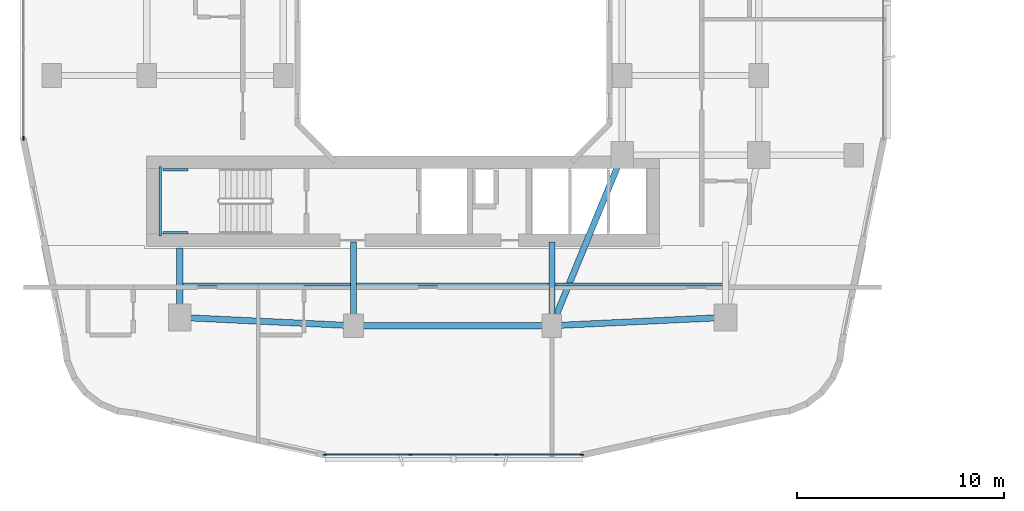
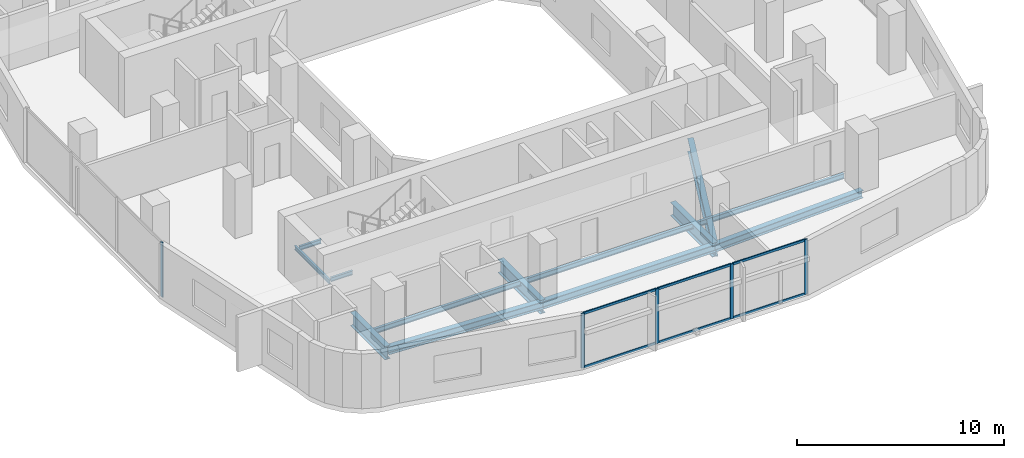
# One storey, part 2 of 26: 13 beams, 11 members, 2 elements without a shape of their own.
"""IFC4 building model written with IfcOpenShell, lengths in metres."""

import ifcopenshell
import ifcopenshell.guid

model = None  # the IFC model being written
_history = None  # IfcOwnerHistory: only IFC2X3 demands one
_inside = {}  # id of a spatial element -> (the spatial element, [elements in it])
_under = {}  # id of a project, library or spatial element -> (it, [spatial elements below it])
_declared = {}  # id of a project -> (the project, [libraries it declares])
_typed = {}  # id of a type object -> (the type object, [elements of that type])
_made_of = {}  # id of a material, layer set ... -> (it, [elements and type objects made of it])


def new_model(schema):
    """Start an empty IFC model of exactly this schema.

    Asked for "IFC4X3", IfcOpenShell would pick the latest addendum, in which some entities
    have other attributes; the version numbers below select the first issue.
    IFC2X3 requires an IfcOwnerHistory on every rooted entity: one is made here for all.
    """
    global model, _history
    if schema == "IFC4X3":
        model = ifcopenshell.file(schema_version=(4, 3, 0, 0))
    else:
        model = ifcopenshell.file(schema=schema)
    _inside.clear()
    _under.clear()
    _declared.clear()
    _typed.clear()
    _made_of.clear()
    _history = None
    if model.schema == "IFC2X3":
        org = make("IfcOrganization", Name="unknown")
        user = make(
            "IfcPersonAndOrganization",
            ThePerson=make("IfcPerson", FamilyName="unknown"),
            TheOrganization=org,
        )
        app = make(
            "IfcApplication",
            ApplicationDeveloper=org,
            Version="unknown",
            ApplicationFullName="unknown",
            ApplicationIdentifier="unknown",
        )
        _history = make(
            "IfcOwnerHistory",
            OwningUser=user,
            OwningApplication=app,
            ChangeAction="ADDED",
            CreationDate=0,
        )
    return model


def make(cls, **values):
    """One entity of the class cls with the attributes given. An attribute that is None is left unset."""
    return model.create_entity(
        cls, **{name: value for name, value in values.items() if value is not None}
    )


def rooted(cls, **values):
    """An entity with a GlobalId (a new one), such as an element, a storey or a relation."""
    return make(cls, GlobalId=ifcopenshell.guid.new(), OwnerHistory=_history, **values)


def si_unit(unit_type, name, prefix=None):
    """IfcSIUnit, for example si_unit("LENGTHUNIT", "METRE", prefix="MILLI")."""
    return make("IfcSIUnit", UnitType=unit_type, Prefix=prefix, Name=name)


def derived_unit(unit_type, elements):
    """IfcDerivedUnit: a product of units, each with its exponent."""
    return make(
        "IfcDerivedUnit",
        Elements=[
            make("IfcDerivedUnitElement", Unit=unit, Exponent=power)
            for unit, power in elements
        ],
        UnitType=unit_type,
    )


def assignment(units):
    """IfcUnitAssignment: the units of a project."""
    return None if units is None else make("IfcUnitAssignment", Units=units)


def point(xyz):
    """IfcCartesianPoint."""
    return None if xyz is None else make("IfcCartesianPoint", Coordinates=xyz)


def direction(xyz):
    """IfcDirection."""
    return None if xyz is None else make("IfcDirection", DirectionRatios=xyz)


def frame(location, z_axis=None, x_axis=None):
    """IfcAxis2Placement3D, a coordinate frame: its origin and axes. An axis left out is left unset."""
    return make(
        "IfcAxis2Placement3D",
        Location=point(location),
        Axis=direction(z_axis),
        RefDirection=direction(x_axis),
    )


def frame_2d(location, x_axis=None):
    """IfcAxis2Placement2D, a coordinate frame in the plane: its origin and x axis."""
    return make(
        "IfcAxis2Placement2D", Location=point(location), RefDirection=direction(x_axis)
    )


def origin():
    """The frame at (0, 0, 0) with its axes left unset."""
    return frame((0.0, 0.0, 0.0))


def origin_2d():
    """The frame at (0, 0) in the plane with its x axis left unset."""
    return frame_2d((0.0, 0.0))


def place(relative_to, where):
    """IfcLocalPlacement: puts the frame where relative to a parent placement (None: the world)."""
    return make(
        "IfcLocalPlacement", PlacementRelTo=relative_to, RelativePlacement=where
    )


def context(
    kind, dimensions, precision=None, world=None, true_north=None, identifier=None
):
    """IfcGeometricRepresentationContext, for example the 3D "Model" context."""
    return make(
        "IfcGeometricRepresentationContext",
        ContextIdentifier=identifier,
        ContextType=kind,
        CoordinateSpaceDimension=dimensions,
        Precision=precision,
        WorldCoordinateSystem=world,
        TrueNorth=true_north,
    )


def subcontext(parent, identifier, kind, view, scale=None):
    """IfcGeometricRepresentationSubContext, for example "Body" below "Model"."""
    return make(
        "IfcGeometricRepresentationSubContext",
        ContextIdentifier=identifier,
        ContextType=kind,
        ParentContext=parent,
        TargetScale=scale,
        TargetView=view,
    )


def project(units=None, contexts=None):
    """IfcProject with its units and contexts."""
    return rooted(
        "IfcProject",
        Name="project",
        RepresentationContexts=contexts,
        UnitsInContext=assignment(units),
    )


def spatial(cls, under=None, at=None, **own):
    """A site, building, storey or space (cls), placed at a placement, below another one or the project."""
    s = rooted(cls, ObjectPlacement=at, **own)
    if under is not None:
        _under.setdefault(under.id(), (under, []))[1].append(s)
    return s


def profile(cls, at=None, kind="AREA", **sizes):
    """A parametric profile (cls). Its sizes go by their IFC names, for example OverallWidth=200.0."""
    return make(cls, ProfileType=kind, Position=at, **sizes)


def rectangle(**sizes):
    """IfcRectangleProfileDef."""
    return profile("IfcRectangleProfileDef", **sizes)


def i_section(**sizes):
    """IfcIShapeProfileDef."""
    return profile("IfcIShapeProfileDef", **sizes)


def extrude(swept, where, along, depth):
    """IfcExtrudedAreaSolid: the profile swept, set in the frame where, extruded along a direction by depth."""
    return make(
        "IfcExtrudedAreaSolid",
        SweptArea=swept,
        Position=where,
        ExtrudedDirection=direction(along),
        Depth=depth,
    )


def shape(context_of_items, identifier, shape_type, items):
    """IfcShapeRepresentation: the items that make up one representation, for example the "Body"."""
    return make(
        "IfcShapeRepresentation",
        ContextOfItems=context_of_items,
        RepresentationIdentifier=identifier,
        RepresentationType=shape_type,
        Items=items,
    )


def material(Name=None, Category=None):
    """IfcMaterial."""
    return make("IfcMaterial", Name=Name, Category=Category)


def layer(
    of_material, thickness, ventilated=None, Name=None, Category=None, Priority=None
):
    """IfcMaterialLayer: one layer of a wall or slab, of a material (None: an air gap)."""
    return make(
        "IfcMaterialLayer",
        Material=of_material,
        LayerThickness=thickness,
        IsVentilated=ventilated,
        Name=Name,
        Category=Category,
        Priority=Priority,
    )


def layer_set(layers, Name=None):
    """IfcMaterialLayerSet."""
    return make("IfcMaterialLayerSet", MaterialLayers=layers, LayerSetName=Name)


def material_profile(
    of_material, cross_section, Name=None, Category=None, Priority=None
):
    """IfcMaterialProfile: a cross section and its material."""
    return make(
        "IfcMaterialProfile",
        Name=Name,
        Material=of_material,
        Profile=cross_section,
        Priority=Priority,
        Category=Category,
    )


def profile_set(profiles, Name=None, composite=None):
    """IfcMaterialProfileSet."""
    return make(
        "IfcMaterialProfileSet",
        Name=Name,
        MaterialProfiles=profiles,
        CompositeProfile=composite,
    )


def made_of(thing, what):
    """Note that an element or type object is made of a material, layer set ...; save() writes the relation."""
    if what is not None:
        _made_of.setdefault(what.id(), (what, []))[1].append(thing)
    return thing


def type_object(cls, material=None, **own):
    """A type object (cls), such as IfcWallType, which elements share."""
    return made_of(rooted(cls, **own), material)


def element(
    cls,
    number,
    at=None,
    inside=None,
    cuts=None,
    type_object=None,
    material=None,
    context=None,
    identifier="Body",
    shape_type=None,
    held_by="IfcProductDefinitionShape",
    body=None,
    shapes=None,
    **own,
):
    """One element of the class cls, such as IfcWall. Its Tag is "e" and its number.

    at: its placement. inside: the storey or other place that contains it. cuts: it is an
    opening in that element (IfcRelVoidsElement). A single representation is given by context,
    identifier, shape_type and body (its items); several are given by shapes. held_by: the class
    of the entity that holds the representations. save() writes the other relations.
    """
    e = rooted(cls, Tag="e%d" % number, ObjectPlacement=at, **own)
    if body is not None:
        shapes = [shape(context, identifier, shape_type, body)]
    if shapes is not None:
        e.Representation = make(held_by, Representations=shapes)
    if inside is not None:
        _inside.setdefault(inside.id(), (inside, []))[1].append(e)
    if cuts is not None:
        rooted(
            "IfcRelVoidsElement", RelatingBuildingElement=cuts, RelatedOpeningElement=e
        )
    if type_object is not None:
        _typed.setdefault(type_object.id(), (type_object, []))[1].append(e)
    return made_of(e, material)


def aggregate(whole, parts):
    """IfcRelAggregates: a whole, such as a stair, and the parts it consists of."""
    return rooted("IfcRelAggregates", RelatingObject=whole, RelatedObjects=parts)


def save(model, path):
    """Write the relations noted so far, then the file.

    IfcRelAggregates (storeys below a building ...), IfcRelContainedInSpatialStructure (elements
    in a storey), IfcRelDefinesByType, IfcRelAssociatesMaterial and IfcRelDeclares: one each for
    every whole, place, type object, material and project.
    """
    for whole, parts in _under.values():
        aggregate(whole, parts)
    for where, things in _inside.values():
        rooted(
            "IfcRelContainedInSpatialStructure",
            RelatedElements=things,
            RelatingStructure=where,
        )
    for kind, things in _typed.values():
        rooted("IfcRelDefinesByType", RelatedObjects=things, RelatingType=kind)
    for what, things in _made_of.values():
        rooted("IfcRelAssociatesMaterial", RelatedObjects=things, RelatingMaterial=what)
    for by, libraries in _declared.values():
        rooted("IfcRelDeclares", RelatingContext=by, RelatedDefinitions=libraries)
    model.write(path)


model = new_model("IFC4")

# Units and contexts
model_context = context("Model", 3, precision=1e-05, world=origin(), true_north=direction((0.0, 1.0)))
body_context = subcontext(model_context, "Body", "Model", "MODEL_VIEW")
ifc_project = project(units=[si_unit("LENGTHUNIT", "METRE"), si_unit("AREAUNIT", "SQUARE_METRE"), si_unit("VOLUMEUNIT", "CUBIC_METRE"), si_unit("PLANEANGLEUNIT", "RADIAN"), si_unit("MASSUNIT", "GRAM", prefix="KILO"), derived_unit("THERMALTRANSMITTANCEUNIT", [(si_unit("POWERUNIT", "WATT"), 1), (si_unit("LENGTHUNIT", "METRE"), -2), (si_unit("THERMODYNAMICTEMPERATUREUNIT", "KELVIN"), -1)])], contexts=[model_context])

# Site, building, storey
site_placement = place(None, origin())
site = spatial("IfcSite", under=ifc_project, at=site_placement, CompositionType="ELEMENT")
building_placement = place(site_placement, origin())
building = spatial("IfcBuilding", under=site, at=building_placement, Name="Kivonza Crest Hotel", CompositionType="ELEMENT")
storey_placement = place(building_placement, frame((0.0, 0.0, 45.0)))
storey = spatial("IfcBuildingStorey", under=building, at=storey_placement, Name="L11", CompositionType="ELEMENT", Elevation=45.0)

# Beams
ifc_material_1 = material(Name="Steel S355", Category="steel")
ifc_material_profile_1 = material_profile(ifc_material_1, i_section(OverallWidth=0.300048828125, OverallDepth=0.449951171875, WebThickness=0.013916015625, FlangeThickness=0.02587890625, FilletRadius=0.027099609375, at=origin_2d()), Name="HEB 450")
ifc_profile_set_1 = profile_set([ifc_material_profile_1], Name="Steel S355")
beam_type_1 = type_object("IfcBeamType", Name="BM-HEB450", PredefinedType="SPANDREL", material=ifc_profile_set_1)
beam_1_placement = place(storey_placement, frame((16.199951171875, 9.39990234375, -0.5048828125), z_axis=(1.0, 0.0, 0.0), x_axis=(0.0, 1.0, 0.0)))
element("IfcBeam", 1, at=beam_1_placement, inside=storey, type_object=beam_type_1, Name="Tower T1 L11 perimeter spandrel S1-S2", PredefinedType="SPANDREL", context=body_context, shape_type="SweptSolid", body=[
    extrude(i_section(OverallWidth=0.300048828125, OverallDepth=0.449951171875, WebThickness=0.013916015625, FlangeThickness=0.02587890625, FilletRadius=0.027099609375, at=origin_2d()), origin(), (0.0, 0.0, 1.0), 9.60009765625),
])
for number, where, z_axis, x_axis, name in (
    (2, (25.800048828125, 9.39990234375, -0.5048828125), (0.998867283688, 0.047583080799, 0.0), (-0.047583080799, 0.998867283688, 0.0), "Tower T1 L11 perimeter spandrel S2-SE"),
    (3, (7.800048828125, 9.800048828125, -0.5048828125), (0.998867283688, -0.047583080799, 0.0), (0.047583080799, 0.998867283688, 0.0), "Tower T1 L11 perimeter spandrel SW-S1"),
):
    element("IfcBeam", number, at=place(storey_placement, frame(where, z_axis=z_axis, x_axis=x_axis)), inside=storey, type_object=beam_type_1, Name=name, PredefinedType="SPANDREL", context=body_context, shape_type="SweptSolid", body=[
        extrude(i_section(OverallWidth=0.300048828125, OverallDepth=0.449951171875, WebThickness=0.013916015625, FlangeThickness=0.02587890625, FilletRadius=0.027099609375, at=origin_2d()), origin(), (0.0, 0.0, 1.0), 8.409423828125),
    ])
ifc_material_profile_2 = material_profile(ifc_material_1, i_section(OverallWidth=0.300048828125, OverallDepth=0.800048828125, WebThickness=0.017578125, FlangeThickness=0.032958984375, FilletRadius=0.030029296875, at=origin_2d()), Name="HEB 800")
ifc_profile_set_2 = profile_set([ifc_material_profile_2], Name="Steel S355")
beam_type_2 = type_object("IfcBeamType", Name="BM-HEB800", PredefinedType="BEAM", material=ifc_profile_set_2)
beam_2_placement = place(storey_placement, frame((25.800048828125, 9.39990234375, -0.679931640625), z_axis=(0.381022260404, 0.924565864109, 0.0), x_axis=(-0.924565864109, 0.381022260404, 0.0)))
element("IfcBeam", 4, at=beam_2_placement, inside=storey, type_object=beam_type_2, Name="Tower T1 L11 primary girder S1-TSE", PredefinedType="BEAM", context=body_context, shape_type="SweptSolid", body=[
    extrude(i_section(OverallWidth=0.300048828125, OverallDepth=0.800048828125, WebThickness=0.017578125, FlangeThickness=0.032958984375, FilletRadius=0.030029296875, at=origin_2d()), origin(), (0.0, 0.0, 1.0), 8.923095703125),
])
beam_3_placement = place(storey_placement, frame((7.800048828125, 9.800048828125, -0.679931640625), z_axis=(0.0, 1.0, 0.0), x_axis=(-1.0, 0.0, 0.0)))
element("IfcBeam", 5, at=beam_3_placement, inside=storey, type_object=beam_type_2, Name="Tower T1 L11 radial core girder RSW", PredefinedType="BEAM", context=body_context, shape_type="SweptSolid", body=[
    extrude(i_section(OverallWidth=0.300048828125, OverallDepth=0.800048828125, WebThickness=0.017578125, FlangeThickness=0.032958984375, FilletRadius=0.030029296875, at=origin_2d()), origin(), (0.0, 0.0, 1.0), 3.349853515625),
])
for number, where, z_axis, x_axis, name in (
    (6, (16.199951171875, 9.39990234375, -0.679931640625), (0.0, 1.0, 0.0), (-1.0, 0.0, 0.0), "Tower T1 L11 radial core girder RS1"),
    (7, (25.800048828125, 9.39990234375, -0.679931640625), (0.0, 1.0, 0.0), (-1.0, 0.0, 0.0), "Tower T1 L11 radial core girder RS2"),
):
    element("IfcBeam", number, at=place(storey_placement, frame(where, z_axis=z_axis, x_axis=x_axis)), inside=storey, type_object=beam_type_2, Name=name, PredefinedType="BEAM", context=body_context, shape_type="SweptSolid", body=[
        extrude(i_section(OverallWidth=0.300048828125, OverallDepth=0.800048828125, WebThickness=0.017578125, FlangeThickness=0.032958984375, FilletRadius=0.030029296875, at=origin_2d()), origin(), (0.0, 0.0, 1.0), 4.050048828125),
    ])
ifc_material_profile_3 = material_profile(ifc_material_1, i_section(OverallWidth=0.14990234375, OverallDepth=0.300048828125, WebThickness=0.007080078125, FlangeThickness=0.0107421875, FilletRadius=0.014892578125, at=origin_2d()), Name="IPE 300")
ifc_profile_set_3 = profile_set([ifc_material_profile_3], Name="Steel S355")
beam_type_3 = type_object("IfcBeamType", Name="BM-IPE300", PredefinedType="JOIST", material=ifc_profile_set_3)
beam_4_placement = place(storey_placement, frame((7.8798828125, 11.39990234375, -0.429931640625), z_axis=(1.0, 0.0, 0.0), x_axis=(0.0, 1.0, 0.0)))
element("IfcBeam", 8, at=beam_4_placement, inside=storey, type_object=beam_type_3, Name="Tower T1 L11 South-West floor joist", PredefinedType="JOIST", context=body_context, shape_type="SweptSolid", body=[
    extrude(i_section(OverallWidth=0.14990234375, OverallDepth=0.300048828125, WebThickness=0.007080078125, FlangeThickness=0.0107421875, FilletRadius=0.014892578125, at=origin_2d()), origin(), (0.0, 0.0, 1.0), 8.240234375),
])
beam_5_placement = place(storey_placement, frame((16.280029296875, 11.39990234375, -0.429931640625), z_axis=(1.0, 0.0, 0.0), x_axis=(0.0, 1.0, 0.0)))
element("IfcBeam", 9, at=beam_5_placement, inside=storey, type_object=beam_type_3, Name="Tower T1 L11 South-Mid floor joist", PredefinedType="JOIST", context=body_context, shape_type="SweptSolid", body=[
    extrude(i_section(OverallWidth=0.14990234375, OverallDepth=0.300048828125, WebThickness=0.007080078125, FlangeThickness=0.0107421875, FilletRadius=0.014892578125, at=origin_2d()), origin(), (0.0, 0.0, 1.0), 9.43994140625),
])
beam_6_placement = place(storey_placement, frame((25.8798828125, 11.39990234375, -0.429931640625), z_axis=(1.0, 0.0, 0.0), x_axis=(0.0, 1.0, 0.0)))
element("IfcBeam", 10, at=beam_6_placement, inside=storey, type_object=beam_type_3, Name="Tower T1 L11 South-East floor joist", PredefinedType="JOIST", context=body_context, shape_type="SweptSolid", body=[
    extrude(i_section(OverallWidth=0.14990234375, OverallDepth=0.300048828125, WebThickness=0.007080078125, FlangeThickness=0.0107421875, FilletRadius=0.014892578125, at=origin_2d()), origin(), (0.0, 0.0, 1.0), 8.240234375),
])
ifc_material_profile_4 = material_profile(ifc_material_1, i_section(OverallWidth=0.1201171875, OverallDepth=0.239990234375, WebThickness=0.006103515625, FlangeThickness=0.009765625, FilletRadius=0.014892578125, at=origin_2d()), Name="IPE 240")
ifc_profile_set_4 = profile_set([ifc_material_profile_4], Name="Steel S355")
beam_type_4 = type_object("IfcBeamType", Name="BM-LLDG-240", PredefinedType="BEAM", material=ifc_profile_set_4)
beam_7_placement = place(storey_placement, frame((6.860107421875, 13.739990234375, 1.429931640625), z_axis=(0.0, 1.0, 0.0), x_axis=(-1.0, 0.0, 0.0)))
element("IfcBeam", 11, at=beam_7_placement, inside=storey, type_object=beam_type_4, Name="Stair ST-T1-S L11 West landing corbel", PredefinedType="BEAM", context=body_context, shape_type="SweptSolid", body=[
    extrude(i_section(OverallWidth=0.1201171875, OverallDepth=0.239990234375, WebThickness=0.006103515625, FlangeThickness=0.009765625, FilletRadius=0.014892578125, at=origin_2d()), origin(), (0.0, 0.0, 1.0), 3.360107421875),
])
for number, where, z_axis, x_axis, name in (
    (12, (6.989990234375, 13.89990234375, 1.429931640625), (1.0, 0.0, 0.0), (0.0, 1.0, 0.0), "Stair ST-T1-S L11 South landing corbel"),
    (13, (6.989990234375, 16.93994140625, 1.429931640625), (1.0, 0.0, 0.0), (0.0, 1.0, 0.0), "Stair ST-T1-S L11 North landing corbel"),
):
    element("IfcBeam", number, at=place(storey_placement, frame(where, z_axis=z_axis, x_axis=x_axis)), inside=storey, type_object=beam_type_4, Name=name, PredefinedType="BEAM", context=body_context, shape_type="SweptSolid", body=[
        extrude(i_section(OverallWidth=0.1201171875, OverallDepth=0.239990234375, WebThickness=0.006103515625, FlangeThickness=0.009765625, FilletRadius=0.014892578125, at=origin_2d()), origin(), (0.0, 0.0, 1.0), 1.2099609375),
    ])

# Curtain wall, members
ifc_material_2 = material(Name="Anodised bronze aluminium and low-E double glazing", Category="aluminium")
ifc_layer = layer(ifc_material_2, 0.179931640625)
ifc_layer_set = layer_set([ifc_layer], Name="Anodised bronze aluminium and low-E double glazing")
curtain_wall_type = type_object("IfcCurtainWallType", Name="CW-SYS-2", PredefinedType="NOTDEFINED", material=ifc_layer_set)
curtain_wall_1_placement = place(storey_placement, origin())
curtain_wall_1 = element("IfcCurtainWall", 14, at=curtain_wall_1_placement, inside=storey, type_object=curtain_wall_type, Name="L11 unitised curtain wall CW-T1-L11-08", PredefinedType="NOTDEFINED")
ifc_material_3 = material(Name="Anodised bronze aluminium", Category="aluminium")
ifc_material_profile_5 = material_profile(ifc_material_3, rectangle(XDim=0.06494140625, YDim=0.179931640625, at=origin_2d()), Name="CW-M 65x180")
ifc_profile_set_5 = profile_set([ifc_material_profile_5], Name="Anodised bronze aluminium")
member_type_1 = type_object("IfcMemberType", Name="CW-MUL-65x180", PredefinedType="MULLION", material=ifc_profile_set_5)
member_1_placement = place(storey_placement, frame((14.824462890625, 3.159912109375, 0.0), z_axis=(0.0, 0.0, 1.0), x_axis=(0.0, 1.0, 0.0)))
member_1 = element("IfcMember", 15, at=member_1_placement, type_object=member_type_1, Name="CW-2 mullion 1", PredefinedType="MULLION", context=body_context, shape_type="SweptSolid", body=[
    extrude(rectangle(XDim=0.06494140625, YDim=0.179931640625, at=origin_2d()), origin(), (0.0, 0.0, 1.0), 3.219970703125),
])
member_2_placement = place(storey_placement, frame((18.957275390625, 3.159912109375, 0.0), z_axis=(0.0, 0.0, 1.0), x_axis=(0.0, 1.0, 0.0)))
member_2 = element("IfcMember", 16, at=member_2_placement, type_object=member_type_1, Name="CW-2 mullion 2", PredefinedType="MULLION", context=body_context, shape_type="SweptSolid", body=[
    extrude(rectangle(XDim=0.06494140625, YDim=0.179931640625, at=origin_2d()), origin(), (0.0, 0.0, 1.0), 3.219970703125),
])
member_3_placement = place(storey_placement, frame((23.12255859375, 3.159912109375, 0.0), z_axis=(0.0, 0.0, 1.0), x_axis=(0.0, 1.0, 0.0)))
member_3 = element("IfcMember", 17, at=member_3_placement, type_object=member_type_1, Name="CW-2 mullion 3", PredefinedType="MULLION", context=body_context, shape_type="SweptSolid", body=[
    extrude(rectangle(XDim=0.06494140625, YDim=0.179931640625, at=origin_2d()), origin(), (0.0, 0.0, 1.0), 3.219970703125),
])
member_4_placement = place(storey_placement, frame((27.255615234375, 3.159912109375, 0.0), z_axis=(0.0, 0.0, 1.0), x_axis=(0.0, 1.0, 0.0)))
member_4 = element("IfcMember", 18, at=member_4_placement, type_object=member_type_1, Name="CW-2 mullion 4", PredefinedType="MULLION", context=body_context, shape_type="SweptSolid", body=[
    extrude(rectangle(XDim=0.06494140625, YDim=0.179931640625, at=origin_2d()), origin(), (0.0, 0.0, 1.0), 3.219970703125),
])

# Curtain wall, member
curtain_wall_2_placement = place(storey_placement, origin())
curtain_wall_2 = element("IfcCurtainWall", 19, at=curtain_wall_2_placement, inside=storey, type_object=curtain_wall_type, Name="L11 unitised curtain wall CW-T1-L11-35", PredefinedType="NOTDEFINED")
member_5_placement = place(storey_placement, frame((0.239990234375, 18.472412109375, 0.0), z_axis=(0.0, 0.0, 1.0), x_axis=(1.0, 0.0, 0.0)))
member_5 = element("IfcMember", 20, at=member_5_placement, type_object=member_type_1, Name="CW-2 mullion 4", PredefinedType="MULLION", context=body_context, shape_type="SweptSolid", body=[
    extrude(rectangle(XDim=0.06494140625, YDim=0.179931640625, at=origin_2d()), origin(), (0.0, 0.0, 1.0), 3.219970703125),
])
aggregate(curtain_wall_2, [member_5])

# Member
ifc_material_profile_6 = material_profile(ifc_material_3, rectangle(XDim=0.06494140625, YDim=0.139892578125, at=origin_2d()), Name="CW-T 65x140")
ifc_profile_set_6 = profile_set([ifc_material_profile_6], Name="Anodised bronze aluminium")
member_type_2 = type_object("IfcMemberType", Name="CW-TRN-65x140", PredefinedType="USERDEFINED", material=ifc_profile_set_6)
member_6_placement = place(storey_placement, frame((14.85693359375, 3.159912109375, 0.032470703125), z_axis=(1.0, 0.0, 0.0), x_axis=(0.0, 1.0, 0.0)))
member_6 = element("IfcMember", 21, at=member_6_placement, type_object=member_type_2, Name="CW-2 transom 1.1", ObjectType="TRANSOM", PredefinedType="USERDEFINED", context=body_context, shape_type="SweptSolid", body=[
    extrude(rectangle(XDim=0.06494140625, YDim=0.139892578125, at=origin_2d()), origin(), (0.0, 0.0, 1.0), 4.06787109375),
])

member_7_placement = place(storey_placement, frame((14.85693359375, 3.159912109375, 3.1875), z_axis=(1.0, 0.0, 0.0), x_axis=(0.0, 1.0, 0.0)))
member_7 = element("IfcMember", 22, at=member_7_placement, type_object=member_type_2, Name="CW-2 transom 1.2", ObjectType="TRANSOM", PredefinedType="USERDEFINED", context=body_context, shape_type="SweptSolid", body=[
    extrude(rectangle(XDim=0.06494140625, YDim=0.139892578125, at=origin_2d()), origin(), (0.0, 0.0, 1.0), 4.06787109375),
])

member_8_placement = place(storey_placement, frame((18.98974609375, 3.159912109375, 0.032470703125), z_axis=(1.0, 0.0, 0.0), x_axis=(0.0, 1.0, 0.0)))
member_8 = element("IfcMember", 23, at=member_8_placement, type_object=member_type_2, Name="CW-2 transom 2.1", ObjectType="TRANSOM", PredefinedType="USERDEFINED", context=body_context, shape_type="SweptSolid", body=[
    extrude(rectangle(XDim=0.06494140625, YDim=0.139892578125, at=origin_2d()), origin(), (0.0, 0.0, 1.0), 4.100341796875),
])

member_9_placement = place(storey_placement, frame((18.98974609375, 3.159912109375, 3.1875), z_axis=(1.0, 0.0, 0.0), x_axis=(0.0, 1.0, 0.0)))
member_9 = element("IfcMember", 24, at=member_9_placement, type_object=member_type_2, Name="CW-2 transom 2.2", ObjectType="TRANSOM", PredefinedType="USERDEFINED", context=body_context, shape_type="SweptSolid", body=[
    extrude(rectangle(XDim=0.06494140625, YDim=0.139892578125, at=origin_2d()), origin(), (0.0, 0.0, 1.0), 4.100341796875),
])

member_10_placement = place(storey_placement, frame((23.1552734375, 3.159912109375, 0.032470703125), z_axis=(1.0, 0.0, 0.0), x_axis=(0.0, 1.0, 0.0)))
member_10 = element("IfcMember", 25, at=member_10_placement, type_object=member_type_2, Name="CW-2 transom 3.1", ObjectType="TRANSOM", PredefinedType="USERDEFINED", context=body_context, shape_type="SweptSolid", body=[
    extrude(rectangle(XDim=0.06494140625, YDim=0.139892578125, at=origin_2d()), origin(), (0.0, 0.0, 1.0), 4.067626953125),
])

member_11_placement = place(storey_placement, frame((23.1552734375, 3.159912109375, 3.1875), z_axis=(1.0, 0.0, 0.0), x_axis=(0.0, 1.0, 0.0)))
member_11 = element("IfcMember", 26, at=member_11_placement, type_object=member_type_2, Name="CW-2 transom 3.2", ObjectType="TRANSOM", PredefinedType="USERDEFINED", context=body_context, shape_type="SweptSolid", body=[
    extrude(rectangle(XDim=0.06494140625, YDim=0.139892578125, at=origin_2d()), origin(), (0.0, 0.0, 1.0), 4.067626953125),
])

aggregate(curtain_wall_1, [member_1, member_2, member_3, member_4, member_6, member_7, member_8, member_9, member_10, member_11])

save(model, "model.ifc")
